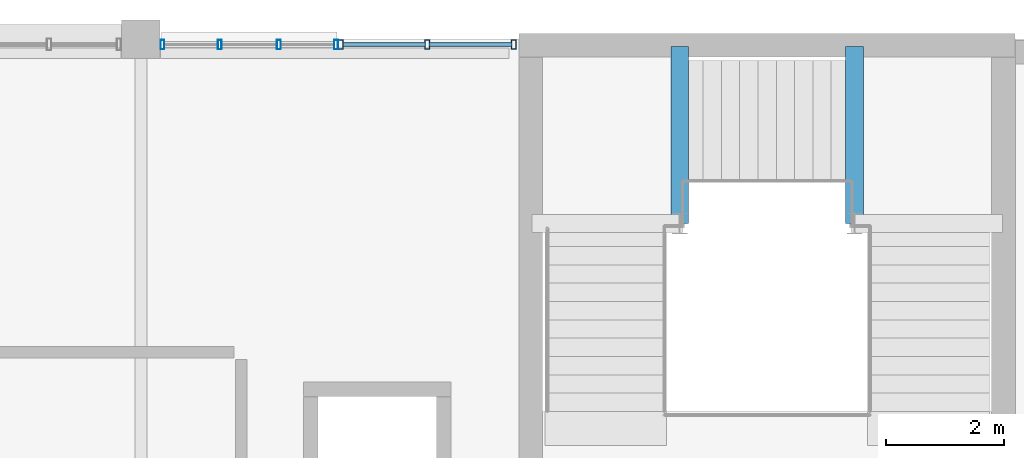
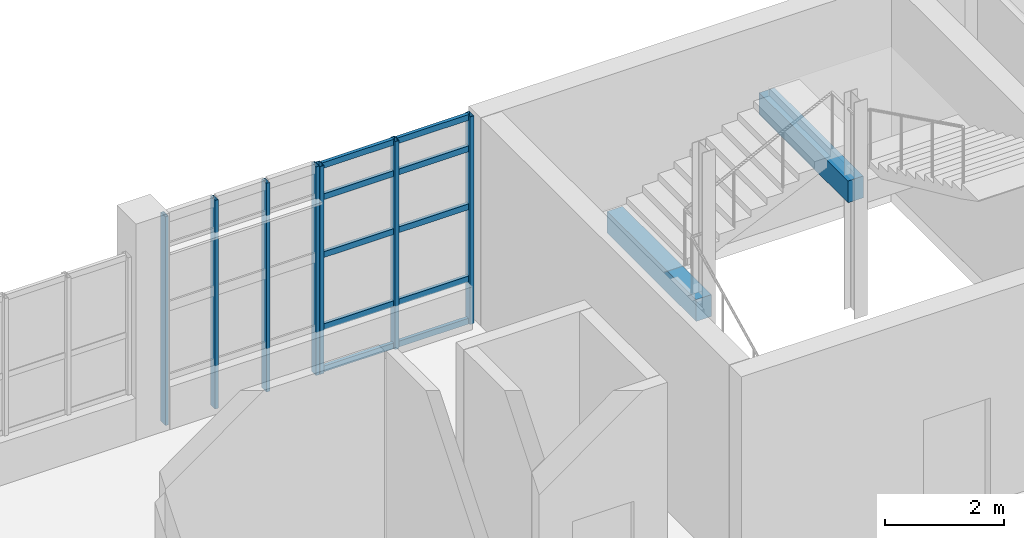
# One storey, part 18 of 38: 17 members, 2 beams, 2 elements without a shape of their own.
"""IFC4 building model written with IfcOpenShell, lengths in metres."""

from ifc_helpers import new_model, si_unit, derived_unit, direction, frame, origin, origin_2d, place, context, subcontext, project, spatial, rectangle, hollow_rectangle, extrude, material, layer, layer_set, material_profile, profile_set, type_object, element, aggregate, save


model = new_model("IFC4")

# Units and contexts
model_context = context("Model", 3, precision=1e-05, world=origin(), true_north=direction((0.0, 1.0)))
body_context = subcontext(model_context, "Body", "Model", "MODEL_VIEW")
ifc_project = project(units=[si_unit("LENGTHUNIT", "METRE"), si_unit("AREAUNIT", "SQUARE_METRE"), si_unit("VOLUMEUNIT", "CUBIC_METRE"), si_unit("PLANEANGLEUNIT", "RADIAN"), si_unit("MASSUNIT", "GRAM", prefix="KILO"), derived_unit("THERMALTRANSMITTANCEUNIT", [(si_unit("POWERUNIT", "WATT"), 1), (si_unit("LENGTHUNIT", "METRE"), -2), (si_unit("THERMODYNAMICTEMPERATUREUNIT", "KELVIN"), -1)])], contexts=[model_context])

# Site, building, storey
site_placement = place(None, origin())
site = spatial("IfcSite", under=ifc_project, at=site_placement, CompositionType="ELEMENT")
building_placement = place(site_placement, origin())
building = spatial("IfcBuilding", under=site, at=building_placement, Name="Nallur Shell Playhouse", CompositionType="ELEMENT")
storey_placement = place(building_placement, frame((0.0, 0.0, 24.300048828125)))
storey = spatial("IfcBuildingStorey", under=building, at=storey_placement, Name="L06", CompositionType="ELEMENT", Elevation=24.300048828125)

# Beams
ifc_material_1 = material(Name="Concrete M35", Category="concrete")
ifc_material_profile_1 = material_profile(ifc_material_1, rectangle(XDim=0.300048828125, YDim=0.449951171875, at=origin_2d()), Name="RC 300x450")
ifc_profile_set_1 = profile_set([ifc_material_profile_1], Name="Concrete M35")
beam_type = type_object("IfcBeamType", Name="BM-SPN-300x450", PredefinedType="SPANDREL", material=ifc_profile_set_1)
for number, where, z_axis, x_axis, name in (
    (1, (57.1201171875, 79.8798828125, 1.121826171875), (0.0, 1.0, 0.0), (-1.0, 0.0, 0.0), "Stair ST-03-L06 L1 east bearer beam"),
    (2, (60.080078125, 79.8798828125, 2.528076171875), (0.0, 1.0, 0.0), (-1.0, 0.0, 0.0), "Stair ST-03-L06 L2 west bearer beam"),
):
    element("IfcBeam", number, at=place(storey_placement, frame(where, z_axis=z_axis, x_axis=x_axis)), inside=storey, type_object=beam_type, Name=name, PredefinedType="SPANDREL", context=body_context, shape_type="SweptSolid", body=[
        extrude(rectangle(XDim=0.300048828125, YDim=0.449951171875, at=origin_2d()), origin(), (0.0, 0.0, 1.0), 3.0),
    ])

# Curtain wall, members
ifc_material_2 = material(Name="Anodised Aluminium Double-Glazed Facade System", Category="aluminium")
ifc_layer_1 = layer(ifc_material_2, 0.179931640625)
ifc_layer_set_1 = layer_set([ifc_layer_1], Name="Anodised Aluminium Double-Glazed Facade System")
curtain_wall_type_1 = type_object("IfcCurtainWallType", Name="CW-UNIT-05", PredefinedType="NOTDEFINED", material=ifc_layer_set_1)
curtain_wall_1_placement = place(storey_placement, origin())
curtain_wall_1 = element("IfcCurtainWall", 3, at=curtain_wall_1_placement, inside=storey, type_object=curtain_wall_type_1, Name="Unitised curtain wall CW-197 (L06)", PredefinedType="NOTDEFINED")
ifc_material_3 = material(Name="Aluminium Alloy 6063-T6 Mullion", Category="aluminium")
ifc_material_profile_2 = material_profile(ifc_material_3, hollow_rectangle(XDim=0.080078125, YDim=0.159912109375, WallThickness=0.006103515625, at=origin_2d()), Name="RHS 160x80x6")
ifc_profile_set_2 = profile_set([ifc_material_profile_2], Name="Aluminium Alloy 6063-T6 Mullion")
member_type_1 = type_object("IfcMemberType", Name="MB-CW-MUL150", PredefinedType="MULLION", material=ifc_profile_set_2)
member_1_placement = place(storey_placement, frame((51.386474609375, 82.909912109375, -0.01513671875), z_axis=(0.0, 0.0, 1.0), x_axis=(1.0, 0.0, 0.0)))
member_1 = element("IfcMember", 4, at=member_1_placement, type_object=member_type_1, Name="CW-05 mullion 1", PredefinedType="MULLION", context=body_context, shape_type="SweptSolid", body=[
    extrude(hollow_rectangle(XDim=0.080078125, YDim=0.159912109375, WallThickness=0.006103515625, at=origin_2d()), origin(), (0.0, 0.0, 1.0), 4.279052734375),
])
member_2_placement = place(storey_placement, frame((52.84814453125, 82.909912109375, -0.01513671875), z_axis=(0.0, 0.0, 1.0), x_axis=(1.0, 0.0, 0.0)))
member_2 = element("IfcMember", 5, at=member_2_placement, type_object=member_type_1, Name="CW-05 mullion 2", PredefinedType="MULLION", context=body_context, shape_type="SweptSolid", body=[
    extrude(hollow_rectangle(XDim=0.080078125, YDim=0.159912109375, WallThickness=0.006103515625, at=origin_2d()), origin(), (0.0, 0.0, 1.0), 4.279052734375),
])
member_3_placement = place(storey_placement, frame((54.31005859375, 82.909912109375, -0.01513671875), z_axis=(0.0, 0.0, 1.0), x_axis=(1.0, 0.0, 0.0)))
member_3 = element("IfcMember", 6, at=member_3_placement, type_object=member_type_1, Name="CW-05 mullion 3", PredefinedType="MULLION", context=body_context, shape_type="SweptSolid", body=[
    extrude(hollow_rectangle(XDim=0.080078125, YDim=0.159912109375, WallThickness=0.006103515625, at=origin_2d()), origin(), (0.0, 0.0, 1.0), 4.279052734375),
])

ifc_layer_2 = layer(ifc_material_2, 0.176025390625)
ifc_layer_set_2 = layer_set([ifc_layer_2], Name="Anodised Aluminium Double-Glazed Facade System")
curtain_wall_type_2 = type_object("IfcCurtainWallType", Name="CW-UNIT-04", PredefinedType="NOTDEFINED", material=ifc_layer_set_2)
curtain_wall_2_placement = place(storey_placement, origin())
curtain_wall_2 = element("IfcCurtainWall", 7, at=curtain_wall_2_placement, inside=storey, type_object=curtain_wall_type_2, Name="Unitised curtain wall CW-196 (L06)", PredefinedType="NOTDEFINED")
ifc_material_profile_3 = material_profile(ifc_material_3, hollow_rectangle(XDim=0.06494140625, YDim=0.159912109375, WallThickness=0.00390625, at=origin_2d()), Name="ALU 65x160x4")
ifc_profile_set_3 = profile_set([ifc_material_profile_3], Name="Aluminium Alloy 6063-T6 Mullion")
member_type_2 = type_object("IfcMemberType", Name="MB-CW-MUL160", PredefinedType="MULLION", material=ifc_profile_set_3)
member_4_placement = place(storey_placement, frame((48.365478515625, 82.909912109375, -0.01513671875), z_axis=(0.0, 0.0, 1.0), x_axis=(1.0, 0.0, 0.0)))
member_4 = element("IfcMember", 8, at=member_4_placement, type_object=member_type_2, Name="CW-04 mullion 1", PredefinedType="MULLION", context=body_context, shape_type="SweptSolid", body=[
    extrude(hollow_rectangle(XDim=0.06494140625, YDim=0.159912109375, WallThickness=0.00390625, at=origin_2d()), origin(), (0.0, 0.0, 1.0), 4.299072265625),
])
member_5_placement = place(storey_placement, frame((49.334228515625, 82.909912109375, -0.01513671875), z_axis=(0.0, 0.0, 1.0), x_axis=(1.0, 0.0, 0.0)))
member_5 = element("IfcMember", 9, at=member_5_placement, type_object=member_type_2, Name="CW-04 mullion 2", PredefinedType="MULLION", context=body_context, shape_type="SweptSolid", body=[
    extrude(hollow_rectangle(XDim=0.06494140625, YDim=0.159912109375, WallThickness=0.00390625, at=origin_2d()), origin(), (0.0, 0.0, 1.0), 4.299072265625),
])
member_6_placement = place(storey_placement, frame((50.33544921875, 82.909912109375, -0.01513671875), z_axis=(0.0, 0.0, 1.0), x_axis=(1.0, 0.0, 0.0)))
member_6 = element("IfcMember", 10, at=member_6_placement, type_object=member_type_2, Name="CW-04 mullion 3", PredefinedType="MULLION", context=body_context, shape_type="SweptSolid", body=[
    extrude(hollow_rectangle(XDim=0.06494140625, YDim=0.159912109375, WallThickness=0.00390625, at=origin_2d()), origin(), (0.0, 0.0, 1.0), 4.299072265625),
])
member_7_placement = place(storey_placement, frame((51.303955078125, 82.909912109375, -0.01513671875), z_axis=(0.0, 0.0, 1.0), x_axis=(1.0, 0.0, 0.0)))
member_7 = element("IfcMember", 11, at=member_7_placement, type_object=member_type_2, Name="CW-04 mullion 4", PredefinedType="MULLION", context=body_context, shape_type="SweptSolid", body=[
    extrude(hollow_rectangle(XDim=0.06494140625, YDim=0.159912109375, WallThickness=0.00390625, at=origin_2d()), origin(), (0.0, 0.0, 1.0), 4.299072265625),
])
aggregate(curtain_wall_2, [member_4, member_5, member_6, member_7])

# Member
ifc_material_4 = material(Name="Aluminium Alloy 6063-T6 Transom", Category="aluminium")
ifc_material_profile_4 = material_profile(ifc_material_4, hollow_rectangle(XDim=0.06494140625, YDim=0.1201171875, WallThickness=0.00390625, at=origin_2d()), Name="ALU 65x120x4")
ifc_profile_set_4 = profile_set([ifc_material_profile_4], Name="Aluminium Alloy 6063-T6 Transom")
member_type_3 = type_object("IfcMemberType", Name="MB-CW-TRN120", PredefinedType="USERDEFINED", material=ifc_profile_set_4)
member_8_placement = place(storey_placement, frame((51.41845703125, 82.909912109375, 0.032470703125), z_axis=(1.0, 0.0, 0.0), x_axis=(0.0, 1.0, 0.0)))
member_8 = element("IfcMember", 12, at=member_8_placement, type_object=member_type_3, Name="CW-05 transom 1.1", ObjectType="TRANSOM", PredefinedType="USERDEFINED", context=body_context, shape_type="SweptSolid", body=[
    extrude(hollow_rectangle(XDim=0.06494140625, YDim=0.1201171875, WallThickness=0.00390625, at=origin_2d()), origin(), (0.0, 0.0, 1.0), 1.397705078125),
])

member_9_placement = place(storey_placement, frame((51.41845703125, 82.909912109375, 0.89990234375), z_axis=(1.0, 0.0, 0.0), x_axis=(0.0, 1.0, 0.0)))
member_9 = element("IfcMember", 13, at=member_9_placement, type_object=member_type_3, Name="CW-05 transom 1.2", ObjectType="TRANSOM", PredefinedType="USERDEFINED", context=body_context, shape_type="SweptSolid", body=[
    extrude(hollow_rectangle(XDim=0.06494140625, YDim=0.1201171875, WallThickness=0.00390625, at=origin_2d()), origin(), (0.0, 0.0, 1.0), 1.397705078125),
])

member_10_placement = place(storey_placement, frame((51.41845703125, 82.909912109375, 2.385986328125), z_axis=(1.0, 0.0, 0.0), x_axis=(0.0, 1.0, 0.0)))
member_10 = element("IfcMember", 14, at=member_10_placement, type_object=member_type_3, Name="CW-05 transom 1.3", ObjectType="TRANSOM", PredefinedType="USERDEFINED", context=body_context, shape_type="SweptSolid", body=[
    extrude(hollow_rectangle(XDim=0.06494140625, YDim=0.1201171875, WallThickness=0.00390625, at=origin_2d()), origin(), (0.0, 0.0, 1.0), 1.397705078125),
])

member_11_placement = place(storey_placement, frame((51.41845703125, 82.909912109375, 3.579833984375), z_axis=(1.0, 0.0, 0.0), x_axis=(0.0, 1.0, 0.0)))
member_11 = element("IfcMember", 15, at=member_11_placement, type_object=member_type_3, Name="CW-05 transom 1.4", ObjectType="TRANSOM", PredefinedType="USERDEFINED", context=body_context, shape_type="SweptSolid", body=[
    extrude(hollow_rectangle(XDim=0.06494140625, YDim=0.1201171875, WallThickness=0.00390625, at=origin_2d()), origin(), (0.0, 0.0, 1.0), 1.397705078125),
])

member_12_placement = place(storey_placement, frame((51.41845703125, 82.909912109375, 4.2275390625), z_axis=(1.0, 0.0, 0.0), x_axis=(0.0, 1.0, 0.0)))
member_12 = element("IfcMember", 16, at=member_12_placement, type_object=member_type_3, Name="CW-05 transom 1.5", ObjectType="TRANSOM", PredefinedType="USERDEFINED", context=body_context, shape_type="SweptSolid", body=[
    extrude(hollow_rectangle(XDim=0.06494140625, YDim=0.1201171875, WallThickness=0.00390625, at=origin_2d()), origin(), (0.0, 0.0, 1.0), 1.397705078125),
])

member_13_placement = place(storey_placement, frame((52.88037109375, 82.909912109375, 0.032470703125), z_axis=(1.0, 0.0, 0.0), x_axis=(0.0, 1.0, 0.0)))
member_13 = element("IfcMember", 17, at=member_13_placement, type_object=member_type_3, Name="CW-05 transom 2.1", ObjectType="TRANSOM", PredefinedType="USERDEFINED", context=body_context, shape_type="SweptSolid", body=[
    extrude(hollow_rectangle(XDim=0.06494140625, YDim=0.1201171875, WallThickness=0.00390625, at=origin_2d()), origin(), (0.0, 0.0, 1.0), 1.397705078125),
])

member_14_placement = place(storey_placement, frame((52.88037109375, 82.909912109375, 0.89990234375), z_axis=(1.0, 0.0, 0.0), x_axis=(0.0, 1.0, 0.0)))
member_14 = element("IfcMember", 18, at=member_14_placement, type_object=member_type_3, Name="CW-05 transom 2.2", ObjectType="TRANSOM", PredefinedType="USERDEFINED", context=body_context, shape_type="SweptSolid", body=[
    extrude(hollow_rectangle(XDim=0.06494140625, YDim=0.1201171875, WallThickness=0.00390625, at=origin_2d()), origin(), (0.0, 0.0, 1.0), 1.397705078125),
])

member_15_placement = place(storey_placement, frame((52.88037109375, 82.909912109375, 2.385986328125), z_axis=(1.0, 0.0, 0.0), x_axis=(0.0, 1.0, 0.0)))
member_15 = element("IfcMember", 19, at=member_15_placement, type_object=member_type_3, Name="CW-05 transom 2.3", ObjectType="TRANSOM", PredefinedType="USERDEFINED", context=body_context, shape_type="SweptSolid", body=[
    extrude(hollow_rectangle(XDim=0.06494140625, YDim=0.1201171875, WallThickness=0.00390625, at=origin_2d()), origin(), (0.0, 0.0, 1.0), 1.397705078125),
])

member_16_placement = place(storey_placement, frame((52.88037109375, 82.909912109375, 3.579833984375), z_axis=(1.0, 0.0, 0.0), x_axis=(0.0, 1.0, 0.0)))
member_16 = element("IfcMember", 20, at=member_16_placement, type_object=member_type_3, Name="CW-05 transom 2.4", ObjectType="TRANSOM", PredefinedType="USERDEFINED", context=body_context, shape_type="SweptSolid", body=[
    extrude(hollow_rectangle(XDim=0.06494140625, YDim=0.1201171875, WallThickness=0.00390625, at=origin_2d()), origin(), (0.0, 0.0, 1.0), 1.397705078125),
])

member_17_placement = place(storey_placement, frame((52.88037109375, 82.909912109375, 4.2275390625), z_axis=(1.0, 0.0, 0.0), x_axis=(0.0, 1.0, 0.0)))
member_17 = element("IfcMember", 21, at=member_17_placement, type_object=member_type_3, Name="CW-05 transom 2.5", ObjectType="TRANSOM", PredefinedType="USERDEFINED", context=body_context, shape_type="SweptSolid", body=[
    extrude(hollow_rectangle(XDim=0.06494140625, YDim=0.1201171875, WallThickness=0.00390625, at=origin_2d()), origin(), (0.0, 0.0, 1.0), 1.397705078125),
])

aggregate(curtain_wall_1, [member_1, member_2, member_3, member_8, member_9, member_10, member_11, member_12, member_13, member_14, member_15, member_16, member_17])

save(model, "model.ifc")
